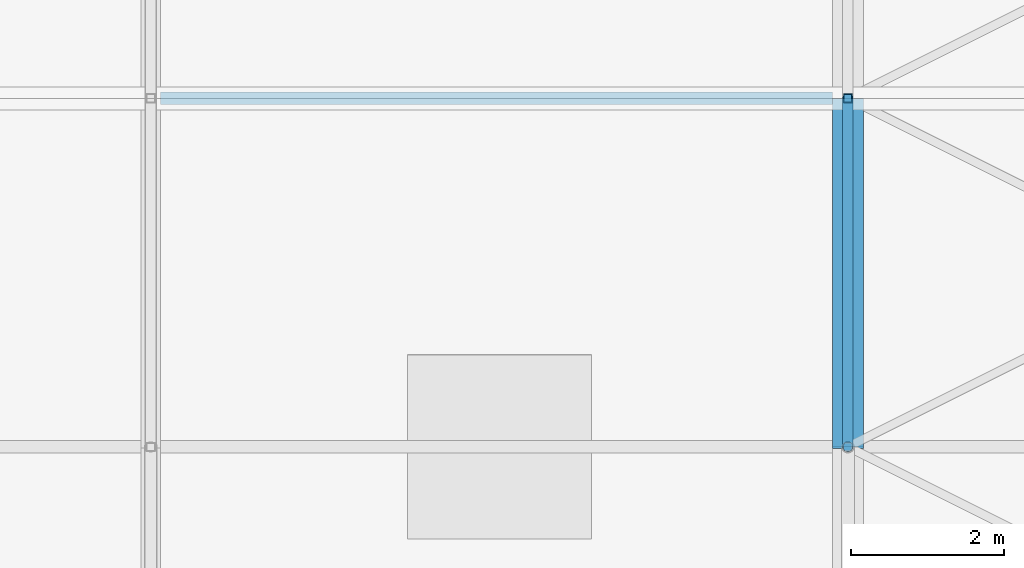
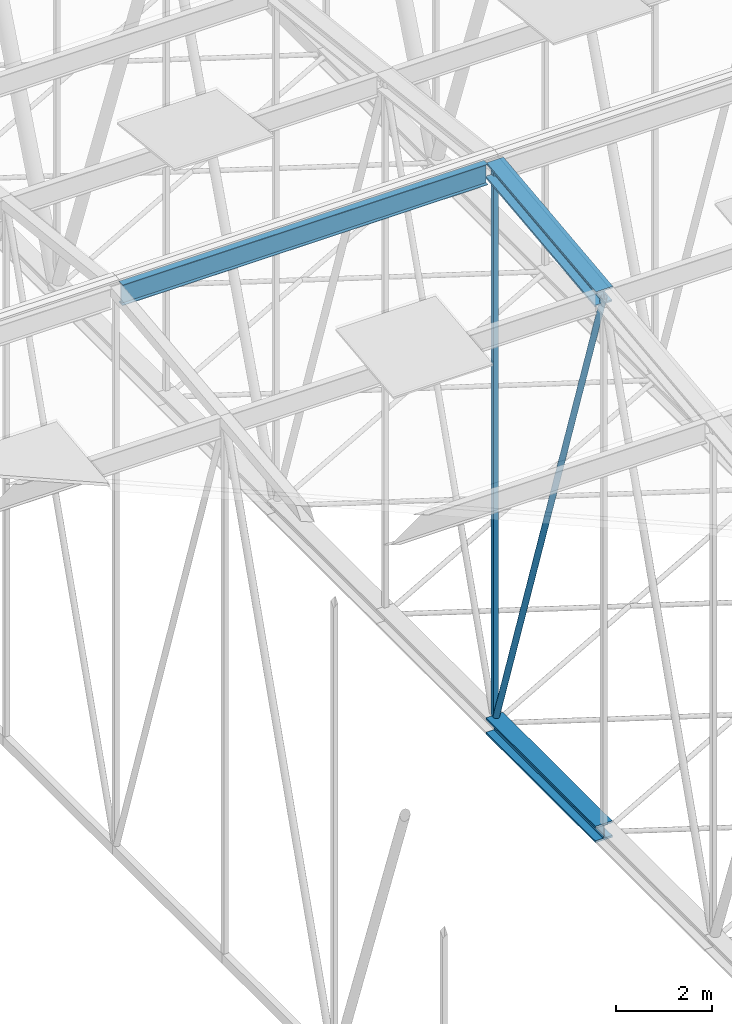
# One storey, part 91 of 500: 5 members.
"""IFC4 building model written with IfcOpenShell, lengths in metres."""

from ifc_helpers import new_model, si_unit, direction, frame, origin, origin_2d, place, context, subcontext, project, spatial, hollow_rectangle, hollow_circle, i_section, extrude, material, material_profile, profile_set, type_object, element, save


model = new_model("IFC4")

# Units and contexts
model_context = context("Model", 3, precision=1e-05, world=origin(), true_north=direction((0.0, 1.0)))
body_context = subcontext(model_context, "Body", "Model", "MODEL_VIEW")
ifc_project = project(units=[si_unit("LENGTHUNIT", "METRE"), si_unit("AREAUNIT", "SQUARE_METRE"), si_unit("VOLUMEUNIT", "CUBIC_METRE"), si_unit("PLANEANGLEUNIT", "RADIAN"), si_unit("MASSUNIT", "GRAM", prefix="KILO")], contexts=[model_context])

# Site, building, storey
site_placement = place(None, origin())
site = spatial("IfcSite", under=ifc_project, at=site_placement, CompositionType="ELEMENT")
building_placement = place(site_placement, origin())
building = spatial("IfcBuilding", under=site, at=building_placement, Name="Shirokan Park Arena", CompositionType="ELEMENT")
storey_placement = place(building_placement, frame((0.0, 0.0, 29.1201171875)))
storey = spatial("IfcBuildingStorey", under=building, at=storey_placement, Name="L06", CompositionType="ELEMENT", Elevation=29.1201171875)

# Members
ifc_material_1 = material(Name="Steel ASTM A992", Category="steel")
ifc_material_profile_1 = material_profile(ifc_material_1, i_section(OverallWidth=0.406005859375, OverallDepth=0.4169921875, WebThickness=0.030029296875, FlangeThickness=0.048095703125, at=origin_2d()), Name="W360X382")
ifc_profile_set_1 = profile_set([ifc_material_profile_1], Name="Steel ASTM A992")
member_type_1 = type_object("IfcMemberType", Name="Bottom chord W360X382", PredefinedType="CHORD", material=ifc_profile_set_1)
member_1_placement = place(storey_placement, frame((45.5, 50.050048828125, 4.677001953125), z_axis=(0.0, 1.0, 0.0), x_axis=(-1.0, 0.0, 0.0)))
element("IfcMember", 1, at=member_1_placement, inside=storey, type_object=member_type_1, Name="Truss T06 bottom chord 14", PredefinedType="CHORD", context=body_context, shape_type="SweptSolid", body=[
    extrude(i_section(OverallWidth=0.406005859375, OverallDepth=0.4169921875, WebThickness=0.030029296875, FlangeThickness=0.048095703125, at=origin_2d()), origin(), (0.0, 0.0, 1.0), 4.550048828125),
])
ifc_material_profile_2 = material_profile(ifc_material_1, i_section(OverallWidth=0.166015625, OverallDepth=0.528076171875, WebThickness=0.009765625, FlangeThickness=0.013671875, at=origin_2d()), Name="W530X74")
ifc_profile_set_2 = profile_set([ifc_material_profile_2], Name="Steel ASTM A992")
member_type_2 = type_object("IfcMemberType", Name="Purlin W530X74", PredefinedType="PURLIN", material=ifc_profile_set_2)
member_2_placement = place(storey_placement, frame((36.527099609375, 54.60009765625, 18.725830078125), z_axis=(1.0, 0.0, 0.0), x_axis=(0.0, 1.0, 0.0)))
element("IfcMember", 2, at=member_2_placement, inside=storey, type_object=member_type_2, Name="Purlin 15 bay 5", PredefinedType="PURLIN", context=body_context, shape_type="SweptSolid", body=[
    extrude(i_section(OverallWidth=0.166015625, OverallDepth=0.528076171875, WebThickness=0.009765625, FlangeThickness=0.013671875, at=origin_2d()), origin(), (0.0, 0.0, 1.0), 8.77001953125),
])
ifc_material_profile_3 = material_profile(ifc_material_1, i_section(OverallWidth=0.406005859375, OverallDepth=0.4169921875, WebThickness=0.030029296875, FlangeThickness=0.048095703125, at=origin_2d()), Name="W360X382")
ifc_profile_set_3 = profile_set([ifc_material_profile_3], Name="Steel ASTM A992")
member_type_3 = type_object("IfcMemberType", Name="Top chord W360X382", PredefinedType="CHORD", material=ifc_profile_set_3)
member_3_placement = place(storey_placement, frame((45.5, 50.050048828125, 18.261474609375), z_axis=(0.0, 0.993532328996, 0.113549598152), x_axis=(-1.0, 0.0, 0.0)))
element("IfcMember", 3, at=member_3_placement, inside=storey, type_object=member_type_3, Name="Truss T06 top chord 14", PredefinedType="CHORD", context=body_context, shape_type="SweptSolid", body=[
    extrude(i_section(OverallWidth=0.406005859375, OverallDepth=0.4169921875, WebThickness=0.030029296875, FlangeThickness=0.048095703125, at=origin_2d()), origin(), (0.0, 0.0, 1.0), 4.57958984375),
])
ifc_material_2 = material(Name="Steel ASTM A500 Grade C", Category="steel")
ifc_material_profile_4 = material_profile(ifc_material_2, hollow_circle(Radius=0.070556640625, WallThickness=0.006591796875, at=origin_2d()), Name="HSS141.3X6.6")
ifc_profile_set_4 = profile_set([ifc_material_profile_4], Name="Steel ASTM A500 Grade C")
member_type_4 = type_object("IfcMemberType", Name="Truss diagonal HSS141.3X6.6", PredefinedType="BRACE", material=ifc_profile_set_4)
member_4_placement = place(storey_placement, frame((45.5, 50.050048828125, 18.261474609375), z_axis=(0.0, 0.317602683872, -0.948223884532), x_axis=(-1.0, 0.0, 0.0)))
element("IfcMember", 4, at=member_4_placement, inside=storey, type_object=member_type_4, Name="Truss T06 diagonal 14", PredefinedType="BRACE", context=body_context, shape_type="SweptSolid", body=[
    extrude(hollow_circle(Radius=0.070556640625, WallThickness=0.006591796875, at=origin_2d()), origin(), (0.0, 0.0, 1.0), 14.326171875),
])
ifc_material_profile_5 = material_profile(ifc_material_2, hollow_rectangle(XDim=0.114013671875, YDim=0.114013671875, WallThickness=0.00634765625, at=origin_2d()), Name="HSS114.3X114.3X6.4")
ifc_profile_set_5 = profile_set([ifc_material_profile_5], Name="Steel ASTM A500 Grade C")
member_type_5 = type_object("IfcMemberType", Name="Truss post HSS114.3X114.3X6.4", PredefinedType="POST", material=ifc_profile_set_5)
member_5_placement = place(storey_placement, frame((45.5, 54.60009765625, 4.677001953125), z_axis=(0.0, 0.0, 1.0), x_axis=(1.0, 0.0, 0.0)))
element("IfcMember", 5, at=member_5_placement, inside=storey, type_object=member_type_5, Name="Truss T06 post 15", PredefinedType="POST", context=body_context, shape_type="SweptSolid", body=[
    extrude(hollow_rectangle(XDim=0.114013671875, YDim=0.114013671875, WallThickness=0.00634765625, at=origin_2d()), origin(), (0.0, 0.0, 1.0), 14.1044921875),
])

save(model, "model.ifc")
